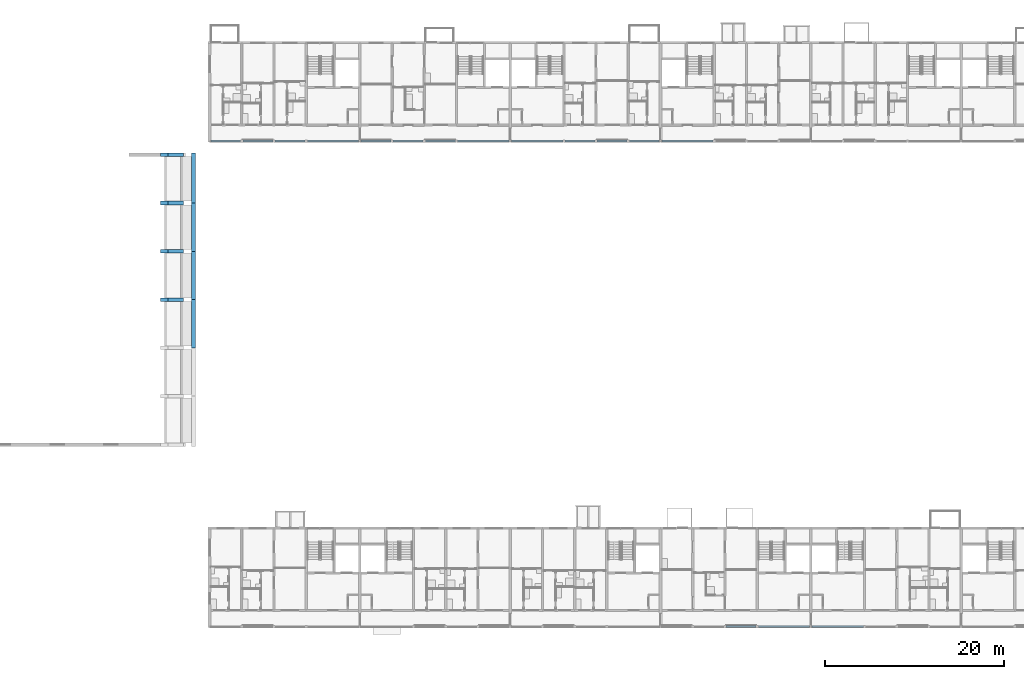
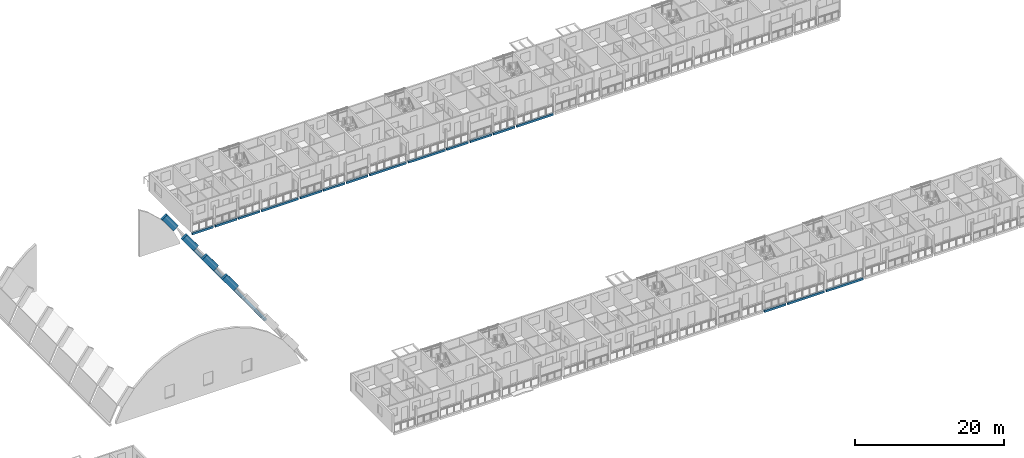
# One storey, part 17 of 100: 24 beams.
"""IFC4 building model written with IfcOpenShell, lengths in metres."""

from ifc_helpers import new_model, si_unit, direction, frame, origin, origin_2d, place, context, subcontext, project, spatial, rectangle, extrude, material, material_profile, profile_set, type_object, element, save


model = new_model("IFC4")

# Units and contexts
model_context = context("Model", 3, precision=1e-05, world=origin(), true_north=direction((0.0, 1.0)))
body_context = subcontext(model_context, "Body", "Model", "MODEL_VIEW")
ifc_project = project(units=[si_unit("LENGTHUNIT", "METRE"), si_unit("AREAUNIT", "SQUARE_METRE"), si_unit("VOLUMEUNIT", "CUBIC_METRE"), si_unit("PLANEANGLEUNIT", "RADIAN"), si_unit("MASSUNIT", "GRAM", prefix="KILO")], contexts=[model_context])

# Site, building, storey
site_placement = place(None, origin())
site = spatial("IfcSite", under=ifc_project, at=site_placement, CompositionType="ELEMENT")
building_placement = place(site_placement, origin())
building = spatial("IfcBuilding", under=site, at=building_placement, Name="Ridgestep Commons", CompositionType="ELEMENT")
storey_placement = place(building_placement, frame((0.0, 0.0, 9.0)))
storey = spatial("IfcBuildingStorey", under=building, at=storey_placement, Name="L03", CompositionType="ELEMENT", Elevation=9.0)

# Beams
ifc_material_1 = material(Name="Precast concrete C40/50", Category="concrete")
ifc_material_profile_1 = material_profile(ifc_material_1, rectangle(XDim=0.39990234375, YDim=0.300048828125, at=origin_2d()), Name="Hall ring beam 400 x 300")
ifc_profile_set_1 = profile_set([ifc_material_profile_1], Name="Precast concrete C40/50")
beam_type_1 = type_object("IfcBeamType", Name="Hall ring beam 400 x 300", PredefinedType="BEAM", material=ifc_profile_set_1)
beam_1_placement = place(storey_placement, frame((145.0, 43.0, 0.14990234375), z_axis=(0.0, 1.0, 0.0), x_axis=(-1.0, 0.0, 0.0)))
element("IfcBeam", 1, at=beam_1_placement, inside=storey, type_object=beam_type_1, Name="Hall ring beam", PredefinedType="BEAM", context=body_context, shape_type="SweptSolid", body=[
    extrude(rectangle(XDim=0.39990234375, YDim=0.300048828125, at=origin_2d()), origin(), (0.0, 0.0, 1.0), 5.39990234375),
])
beam_2_placement = place(storey_placement, frame((145.0, 48.39990234375, 0.14990234375), z_axis=(0.0, 1.0, 0.0), x_axis=(-1.0, 0.0, 0.0)))
element("IfcBeam", 2, at=beam_2_placement, inside=storey, type_object=beam_type_1, Name="Hall ring beam", PredefinedType="BEAM", context=body_context, shape_type="SweptSolid", body=[
    extrude(rectangle(XDim=0.39990234375, YDim=0.300048828125, at=origin_2d()), origin(), (0.0, 0.0, 1.0), 5.400146484375),
])
beam_3_placement = place(storey_placement, frame((145.0, 53.800048828125, 0.14990234375), z_axis=(0.0, 1.0, 0.0), x_axis=(-1.0, 0.0, 0.0)))
element("IfcBeam", 3, at=beam_3_placement, inside=storey, type_object=beam_type_1, Name="Hall ring beam", PredefinedType="BEAM", context=body_context, shape_type="SweptSolid", body=[
    extrude(rectangle(XDim=0.39990234375, YDim=0.300048828125, at=origin_2d()), origin(), (0.0, 0.0, 1.0), 5.39990234375),
])
beam_4_placement = place(storey_placement, frame((145.0, 59.199951171875, 0.14990234375), z_axis=(0.0, 1.0, 0.0), x_axis=(-1.0, 0.0, 0.0)))
element("IfcBeam", 4, at=beam_4_placement, inside=storey, type_object=beam_type_1, Name="Hall ring beam", PredefinedType="BEAM", context=body_context, shape_type="SweptSolid", body=[
    extrude(rectangle(XDim=0.39990234375, YDim=0.300048828125, at=origin_2d()), origin(), (0.0, 0.0, 1.0), 5.60009765625),
])
ifc_material_2 = material(Name="Precast concrete C50/60", Category="concrete")
ifc_material_profile_2 = material_profile(ifc_material_2, rectangle(XDim=0.39990234375, YDim=1.0, at=origin_2d()), Name="Hall vault rib 400 x 1000")
ifc_profile_set_2 = profile_set([ifc_material_profile_2], Name="Precast concrete C50/60")
beam_type_2 = type_object("IfcBeamType", Name="Hall vault rib 400 x 1000", PredefinedType="BEAM", material=ifc_profile_set_2)
for number, where, z_axis, x_axis, name in (
    (5, (141.7255859375, 48.39990234375, 5.148681640625), (0.591444490579, 0.0, -0.806345716528), (0.0, 1.0, 0.0), "Hall vault rib R4"),
    (6, (141.7255859375, 53.800048828125, 5.148681640625), (0.591444490579, 0.0, -0.806345716528), (0.0, 1.0, 0.0), "Hall vault rib R5"),
    (7, (141.7255859375, 59.199951171875, 5.148681640625), (0.591444490579, 0.0, -0.806345716528), (0.0, 1.0, 0.0), "Hall vault rib R6"),
    (8, (141.7255859375, 64.60009765625, 5.148681640625), (0.591444490579, 0.0, -0.806345716528), (0.0, 1.0, 0.0), "Hall vault rib R7"),
):
    element("IfcBeam", number, at=place(storey_placement, frame(where, z_axis=z_axis, x_axis=x_axis)), inside=storey, type_object=beam_type_2, Name=name, PredefinedType="BEAM", context=body_context, shape_type="SweptSolid", body=[
        extrude(rectangle(XDim=0.39990234375, YDim=1.0, at=origin_2d()), origin(), (0.0, 0.0, 1.0), 3.01171875),
    ])
ifc_material_3 = material(Name="Precast concrete C40/50", Category="concrete")
ifc_material_profile_3 = material_profile(ifc_material_3, rectangle(XDim=0.25, YDim=0.35009765625, at=origin_2d()), Name="PC 250x350")
ifc_profile_set_3 = profile_set([ifc_material_profile_3], Name="Precast concrete C40/50")
beam_type_3 = type_object("IfcBeamType", Name="Loggia edge beam 250 x 350", PredefinedType="SPANDREL", material=ifc_profile_set_3)
beam_5_placement = place(storey_placement, frame((146.949951171875, 66.125, -0.375), z_axis=(1.0, 0.0, 0.0), x_axis=(0.0, 1.0, 0.0)))
element("IfcBeam", 9, at=beam_5_placement, inside=storey, type_object=beam_type_3, Name="Loggia edge beam C1T1 L03", PredefinedType="SPANDREL", context=body_context, shape_type="SweptSolid", body=[
    extrude(rectangle(XDim=0.25, YDim=0.35009765625, at=origin_2d()), origin(), (0.0, 0.0, 1.0), 3.324951171875),
])
for number, where, z_axis, x_axis, name in (
    (10, (150.52490234375, 66.125, -0.375), (1.0, 0.0, 0.0), (0.0, 1.0, 0.0), "Loggia edge beam C1T2 L03"),
    (11, (154.125, 66.125, -0.375), (1.0, 0.0, 0.0), (0.0, 1.0, 0.0), "Loggia edge beam C1T3 L03"),
):
    element("IfcBeam", number, at=place(storey_placement, frame(where, z_axis=z_axis, x_axis=x_axis)), inside=storey, type_object=beam_type_3, Name=name, PredefinedType="SPANDREL", context=body_context, shape_type="SweptSolid", body=[
        extrude(rectangle(XDim=0.25, YDim=0.35009765625, at=origin_2d()), origin(), (0.0, 0.0, 1.0), 3.35009765625),
    ])
beam_6_placement = place(storey_placement, frame((157.72509765625, 66.125, -0.375), z_axis=(1.0, 0.0, 0.0), x_axis=(0.0, 1.0, 0.0)))
element("IfcBeam", 12, at=beam_6_placement, inside=storey, type_object=beam_type_3, Name="Loggia edge beam C1C L03", PredefinedType="SPANDREL", context=body_context, shape_type="SweptSolid", body=[
    extrude(rectangle(XDim=0.25, YDim=0.35009765625, at=origin_2d()), origin(), (0.0, 0.0, 1.0), 5.724853515625),
])
beam_7_placement = place(storey_placement, frame((163.75, 66.125, -0.375), z_axis=(1.0, 0.0, 0.0), x_axis=(0.0, 1.0, 0.0)))
element("IfcBeam", 13, at=beam_7_placement, inside=storey, type_object=beam_type_3, Name="Loggia edge beam C2T1 L03", PredefinedType="SPANDREL", context=body_context, shape_type="SweptSolid", body=[
    extrude(rectangle(XDim=0.25, YDim=0.35009765625, at=origin_2d()), origin(), (0.0, 0.0, 1.0), 3.324951171875),
])
beam_8_placement = place(storey_placement, frame((167.324951171875, 66.125, -0.375), z_axis=(1.0, 0.0, 0.0), x_axis=(0.0, 1.0, 0.0)))
element("IfcBeam", 14, at=beam_8_placement, inside=storey, type_object=beam_type_3, Name="Loggia edge beam C2T2 L03", PredefinedType="SPANDREL", context=body_context, shape_type="SweptSolid", body=[
    extrude(rectangle(XDim=0.25, YDim=0.35009765625, at=origin_2d()), origin(), (0.0, 0.0, 1.0), 3.35009765625),
])
beam_9_placement = place(storey_placement, frame((170.925048828125, 66.125, -0.375), z_axis=(1.0, 0.0, 0.0), x_axis=(0.0, 1.0, 0.0)))
element("IfcBeam", 15, at=beam_9_placement, inside=storey, type_object=beam_type_3, Name="Loggia edge beam C2T3 L03", PredefinedType="SPANDREL", context=body_context, shape_type="SweptSolid", body=[
    extrude(rectangle(XDim=0.25, YDim=0.35009765625, at=origin_2d()), origin(), (0.0, 0.0, 1.0), 3.349853515625),
])
beam_10_placement = place(storey_placement, frame((174.52490234375, 66.125, -0.375), z_axis=(1.0, 0.0, 0.0), x_axis=(0.0, 1.0, 0.0)))
element("IfcBeam", 16, at=beam_10_placement, inside=storey, type_object=beam_type_3, Name="Loggia edge beam C2C L03", PredefinedType="SPANDREL", context=body_context, shape_type="SweptSolid", body=[
    extrude(rectangle(XDim=0.25, YDim=0.35009765625, at=origin_2d()), origin(), (0.0, 0.0, 1.0), 5.72509765625),
])
beam_11_placement = place(storey_placement, frame((180.550048828125, 66.125, -0.375), z_axis=(1.0, 0.0, 0.0), x_axis=(0.0, 1.0, 0.0)))
element("IfcBeam", 17, at=beam_11_placement, inside=storey, type_object=beam_type_3, Name="Loggia edge beam C3C L03", PredefinedType="SPANDREL", context=body_context, shape_type="SweptSolid", body=[
    extrude(rectangle(XDim=0.25, YDim=0.35009765625, at=origin_2d()), origin(), (0.0, 0.0, 1.0), 5.724853515625),
])
for number, where, z_axis, x_axis, name in (
    (18, (186.52490234375, 66.125, -0.375), (1.0, 0.0, 0.0), (0.0, 1.0, 0.0), "Loggia edge beam C3T3 L03"),
    (19, (190.125, 66.125, -0.375), (1.0, 0.0, 0.0), (0.0, 1.0, 0.0), "Loggia edge beam C3T2 L03"),
):
    element("IfcBeam", number, at=place(storey_placement, frame(where, z_axis=z_axis, x_axis=x_axis)), inside=storey, type_object=beam_type_3, Name=name, PredefinedType="SPANDREL", context=body_context, shape_type="SweptSolid", body=[
        extrude(rectangle(XDim=0.25, YDim=0.35009765625, at=origin_2d()), origin(), (0.0, 0.0, 1.0), 3.35009765625),
    ])
beam_12_placement = place(storey_placement, frame((193.72509765625, 66.125, -0.375), z_axis=(1.0, 0.0, 0.0), x_axis=(0.0, 1.0, 0.0)))
element("IfcBeam", 20, at=beam_12_placement, inside=storey, type_object=beam_type_3, Name="Loggia edge beam C3T1 L03", PredefinedType="SPANDREL", context=body_context, shape_type="SweptSolid", body=[
    extrude(rectangle(XDim=0.25, YDim=0.35009765625, at=origin_2d()), origin(), (0.0, 0.0, 1.0), 3.324951171875),
])
beam_13_placement = place(storey_placement, frame((197.35009765625, 66.125, -0.375), z_axis=(1.0, 0.0, 0.0), x_axis=(0.0, 1.0, 0.0)))
element("IfcBeam", 21, at=beam_13_placement, inside=storey, type_object=beam_type_3, Name="Loggia edge beam C4C L03", PredefinedType="SPANDREL", context=body_context, shape_type="SweptSolid", body=[
    extrude(rectangle(XDim=0.25, YDim=0.35009765625, at=origin_2d()), origin(), (0.0, 0.0, 1.0), 5.724853515625),
])
beam_14_placement = place(storey_placement, frame((204.52490234375, 11.875, -0.375), z_axis=(1.0, 0.0, 0.0), x_axis=(0.0, 1.0, 0.0)))
element("IfcBeam", 22, at=beam_14_placement, inside=storey, type_object=beam_type_3, Name="Loggia edge beam D4T3 L03", PredefinedType="SPANDREL", context=body_context, shape_type="SweptSolid", body=[
    extrude(rectangle(XDim=0.25, YDim=0.35009765625, at=origin_2d()), origin(), (0.0, 0.0, 1.0), 3.35009765625),
])
for number, where, z_axis, x_axis, name in (
    (23, (208.125, 11.875, -0.375), (1.0, 0.0, 0.0), (0.0, 1.0, 0.0), "Loggia edge beam D4C L03"),
    (24, (214.14990234375, 11.875, -0.375), (1.0, 0.0, 0.0), (0.0, 1.0, 0.0), "Loggia edge beam D5C L03"),
):
    element("IfcBeam", number, at=place(storey_placement, frame(where, z_axis=z_axis, x_axis=x_axis)), inside=storey, type_object=beam_type_3, Name=name, PredefinedType="SPANDREL", context=body_context, shape_type="SweptSolid", body=[
        extrude(rectangle(XDim=0.25, YDim=0.35009765625, at=origin_2d()), origin(), (0.0, 0.0, 1.0), 5.72509765625),
    ])

save(model, "model.ifc")
